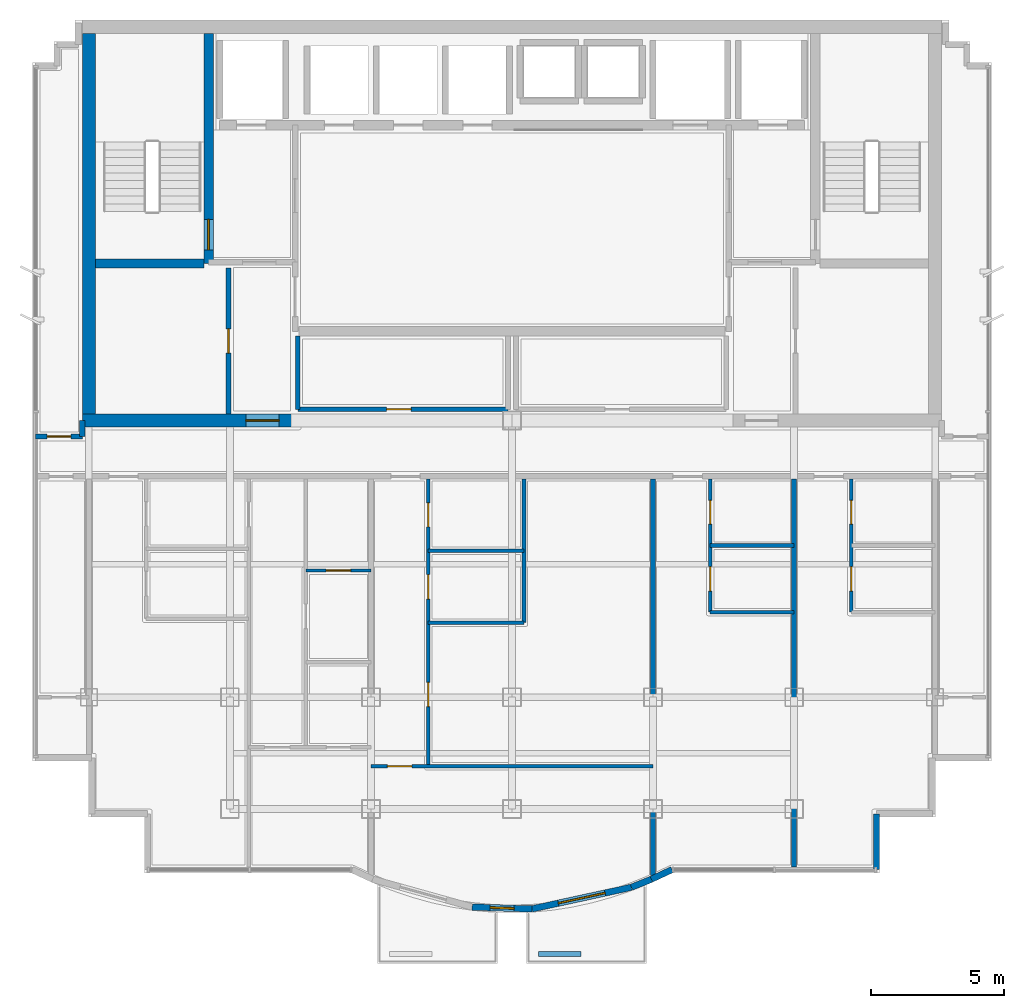
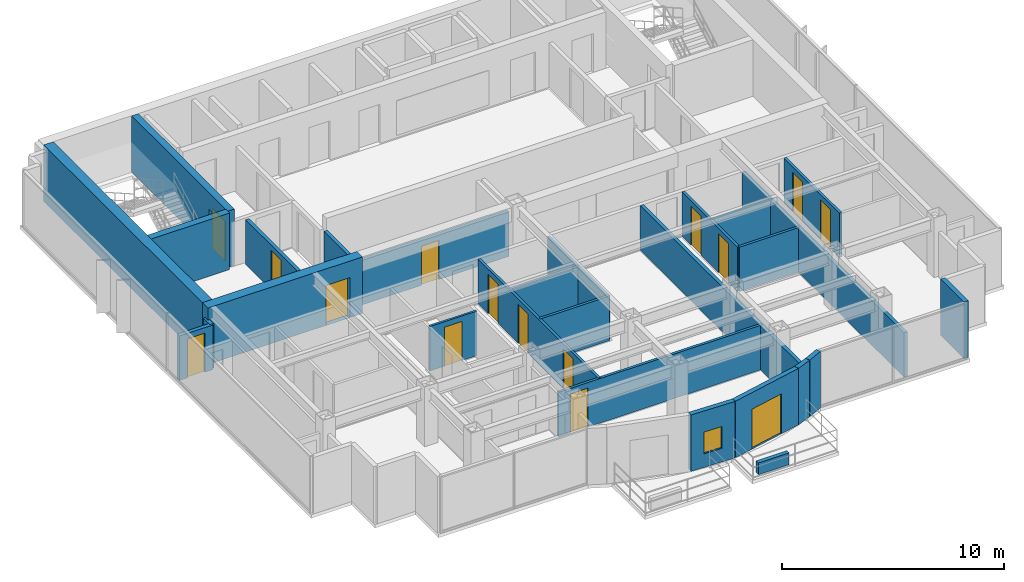
# One storey, part 6 of 10: 27 walls, 15 doors, 1 window, 16 openings.
"""IFC4 building model written with IfcOpenShell, lengths in metres."""

from ifc_helpers import new_model, si_unit, direction, frame, frame_2d, origin, place, context, subcontext, project, spatial, rectangle, extrude, material, layer, layer_set, type_object, element, fill, save


model = new_model("IFC4")

# Units and contexts
model_context = context("Model", 3, precision=1e-05, world=origin(), true_north=direction((0.0, 1.0)))
body_context = subcontext(model_context, "Body", "Model", "MODEL_VIEW")
ifc_project = project(units=[si_unit("LENGTHUNIT", "METRE"), si_unit("AREAUNIT", "SQUARE_METRE"), si_unit("VOLUMEUNIT", "CUBIC_METRE"), si_unit("PLANEANGLEUNIT", "RADIAN"), si_unit("MASSUNIT", "GRAM", prefix="KILO")], contexts=[model_context])

# Site, building, storey
site_placement = place(None, origin())
site = spatial("IfcSite", under=ifc_project, at=site_placement, CompositionType="ELEMENT")
building_placement = place(site_placement, origin())
building = spatial("IfcBuilding", under=site, at=building_placement, Name="Qianlan Lanfeng Residences", CompositionType="ELEMENT")
storey_placement = place(building_placement, frame((0.0, 0.0, 239.60009765625)))
storey = spatial("IfcBuildingStorey", under=building, at=storey_placement, Name="L66", CompositionType="ELEMENT", Elevation=239.60009765625)

# Wall, opening, door
ifc_material_1 = material(Name="Concrete C49", Category="concrete")
ifc_layer_1 = layer(ifc_material_1, 0.35009765625)
ifc_layer_set_1 = layer_set([ifc_layer_1], Name="Concrete C49")
wall_type_1 = type_object("IfcWallType", Name="CW-RC-350", PredefinedType="SHEAR", material=ifc_layer_set_1)
wall_1_placement = place(storey_placement, frame((15.10009765625, 31.10009765625, 0.0), z_axis=(0.0, 0.0, 1.0), x_axis=(0.0, 1.0, 0.0)))
wall_1 = element("IfcWall", 1, at=wall_1_placement, inside=storey, type_object=wall_type_1, Name="L66 Core Shear Wall ST1E", PredefinedType="SHEAR", context=body_context, shape_type="SweptSolid", body=[
    extrude(rectangle(XDim=8.64990234375, YDim=0.35009765625, at=frame_2d((4.324951171875, 0.0))), origin(), (0.0, 0.0, 1.0), 3.10986328125),
])
opening_1_placement = place(wall_1_placement, frame((0.510009765625, 0.0, 0.0)))
opening_1 = element("IfcOpeningElement", 2, at=opening_1_placement, cuts=wall_1, Name="Opening L66-D07", PredefinedType="OPENING", context=body_context, shape_type="SweptSolid", body=[
    extrude(rectangle(XDim=1.14990234375, YDim=2.199951171875, at=frame_2d((0.574951171875, 1.10009765625))), frame((0.0, 0.18505859375, 0.0), z_axis=(0.0, -1.0, 0.0), x_axis=(1.0, 0.0, 0.0)), (0.0, 0.0, 1.0), 0.3701171875),
])
ifc_material_2 = material(Name="Painted Galvanised Steel Fire Door", Category="steel")
door_type_1 = type_object("IfcDoorType", Name="DT-ST1", OperationType="NOTDEFINED", PredefinedType="DOOR", material=ifc_material_2)
door_1_placement = place(opening_1_placement, frame((1.14990234375, 0.0, 0.0), z_axis=(0.0, 0.0, 1.0), x_axis=(-1.0, 0.0, 0.0)))
door_1 = element("IfcDoor", 3, at=door_1_placement, inside=storey, type_object=door_type_1, Name="L66 Exit Stair ST-1 Door L66-D07 (DT-ST1)", OperationType="SINGLE_SWING_RIGHT", OverallHeight=2.199951171875, OverallWidth=1.14990234375, PredefinedType="DOOR", context=body_context, shape_type="SweptSolid", body=[
    extrude(rectangle(XDim=1.14990234375, YDim=2.199951171875, at=frame_2d((0.574951171875, 1.10009765625))), frame((0.0, 0.02490234375, 0.0), z_axis=(0.0, -1.0, 0.0), x_axis=(1.0, 0.0, 0.0)), (0.0, 0.0, 1.0), 0.050048828125),
])
fill(opening_1, door_1)

# Walls
wall_2_placement = place(storey_placement, frame((10.85009765625, 31.10009765625, 0.0), z_axis=(0.0, 0.0, 1.0), x_axis=(1.0, 0.0, 0.0)))
element("IfcWall", 4, at=wall_2_placement, inside=storey, type_object=wall_type_1, Name="L66 Core Shear Wall ST1S", PredefinedType="SHEAR", context=body_context, shape_type="SweptSolid", body=[
    extrude(rectangle(XDim=4.074951171875, YDim=0.35009765625, at=frame_2d((2.03759765625, 0.0))), origin(), (0.0, 0.0, 1.0), 3.10986328125),
])
ifc_material_3 = material(Name="Concrete C70", Category="concrete")
ifc_layer_2 = layer(ifc_material_3, 0.5)
ifc_layer_set_2 = layer_set([ifc_layer_2], Name="Concrete C70")
wall_type_2 = type_object("IfcWallType", Name="CW-RC-500", PredefinedType="SHEAR", material=ifc_layer_set_2)
wall_3_placement = place(storey_placement, frame((10.60009765625, 25.449951171875, 0.0), z_axis=(0.0, 0.0, 1.0), x_axis=(0.0, 1.0, 0.0)))
element("IfcWall", 5, at=wall_3_placement, inside=storey, type_object=wall_type_2, Name="L66 Core Shear Wall W", PredefinedType="SHEAR", context=body_context, shape_type="SweptSolid", body=[
    extrude(rectangle(XDim=14.300048828125, YDim=0.5, at=frame_2d((7.14990234375, 0.0))), origin(), (0.0, 0.0, 1.0), 3.10986328125),
])

# Wall, opening, door
wall_4_placement = place(storey_placement, frame((10.35009765625, 25.199951171875, 0.0), z_axis=(0.0, 0.0, 1.0), x_axis=(1.0, 0.0, 0.0)))
wall_4 = element("IfcWall", 6, at=wall_4_placement, inside=storey, type_object=wall_type_2, Name="L66 Core Shear Wall SW", PredefinedType="SHEAR", context=body_context, shape_type="SweptSolid", body=[
    extrude(rectangle(XDim=8.0498046875, YDim=0.5, at=frame_2d((4.02490234375, 0.0))), origin(), (0.0, 0.0, 1.0), 3.10986328125),
])
opening_2_placement = place(wall_4_placement, frame((6.14990234375, 0.0, 0.0)))
opening_2 = element("IfcOpeningElement", 7, at=opening_2_placement, cuts=wall_4, Name="Opening L66-D01", PredefinedType="OPENING", context=body_context, shape_type="SweptSolid", body=[
    extrude(rectangle(XDim=1.25, YDim=2.199951171875, at=frame_2d((0.625, 1.10009765625))), frame((0.0, 0.260009765625, 0.0), z_axis=(0.0, -1.0, 0.0), x_axis=(1.0, 0.0, 0.0)), (0.0, 0.0, 1.0), 0.52001953125),
])
door_type_2 = type_object("IfcDoorType", Name="DT-FFL", OperationType="NOTDEFINED", PredefinedType="DOOR", material=ifc_material_2)
door_2_placement = place(opening_2_placement, origin())
door_2 = element("IfcDoor", 8, at=door_2_placement, inside=storey, type_object=door_type_2, Name="L66 West Core Lobby Smoke Door L66-D01 (DT-FFL)", OperationType="SINGLE_SWING_RIGHT", OverallHeight=2.199951171875, OverallWidth=1.25, PredefinedType="DOOR", context=body_context, shape_type="SweptSolid", body=[
    extrude(rectangle(XDim=1.25, YDim=2.199951171875, at=frame_2d((0.625, 1.10009765625))), frame((0.0, 0.02490234375, 0.0), z_axis=(0.0, -1.0, 0.0), x_axis=(1.0, 0.0, 0.0)), (0.0, 0.0, 1.0), 0.050048828125),
])
fill(opening_2, door_2)

# Wall, opening, window
ifc_material_4 = material(Name="Concrete C42", Category="concrete")
ifc_layer_3 = layer(ifc_material_4, 0.239990234375)
ifc_layer_set_3 = layer_set([ifc_layer_3], Name="Concrete C42")
wall_type_3 = type_object("IfcWallType", Name="EW-240", PredefinedType="SOLIDWALL", material=ifc_layer_set_3)
wall_5_placement = place(storey_placement, frame((25.0048828125, 6.9130859375, 0.0), z_axis=(0.0, 0.0, 1.0), x_axis=(0.99951250052, -0.031221167572, 0.0)))
wall_5 = element("IfcWall", 9, at=wall_5_placement, inside=storey, type_object=wall_type_3, Name="L66 Exterior Facade Spandrel Wall 7", PredefinedType="SOLIDWALL", context=body_context, shape_type="SweptSolid", body=[
    extrude(rectangle(XDim=2.244140625, YDim=0.239990234375, at=frame_2d((1.1220703125, 0.0))), origin(), (0.0, 0.0, 1.0), 3.10986328125),
])
opening_3_placement = place(wall_5_placement, frame((0.672119140625, 0.0, 0.75)))
opening_3 = element("IfcOpeningElement", 10, at=opening_3_placement, cuts=wall_5, Name="Opening W-04", PredefinedType="OPENING", context=body_context, shape_type="SweptSolid", body=[
    extrude(rectangle(XDim=0.89990234375, YDim=1.199951171875, at=frame_2d((0.449951171875, 0.60009765625))), frame((0.0, 0.1298828125, 0.0), z_axis=(0.0, -1.0, 0.0), x_axis=(1.0, 0.0, 0.0)), (0.0, 0.0, 1.0), 0.260009765625),
])
ifc_material_5 = material(Name="Anodised Bronze Aluminium Framed Double Glazing", Category="aluminium")
window_type = type_object("IfcWindowType", Name="W-04", PartitioningType="SINGLE_PANEL", PredefinedType="WINDOW", material=ifc_material_5)
window_placement = place(opening_3_placement, origin())
window = element("IfcWindow", 11, at=window_placement, inside=storey, type_object=window_type, Name="L66 Facade Punched Window W-04", OverallHeight=1.199951171875, OverallWidth=0.89990234375, PartitioningType="SINGLE_PANEL", PredefinedType="WINDOW", context=body_context, shape_type="SweptSolid", body=[
    extrude(rectangle(XDim=0.89990234375, YDim=1.199951171875, at=frame_2d((0.449951171875, 0.60009765625))), frame((0.0, 0.030029296875, 0.0), z_axis=(0.0, -1.0, 0.0), x_axis=(1.0, 0.0, 0.0)), (0.0, 0.0, 1.0), 0.06005859375),
])
fill(opening_3, window)

# Wall, opening, door
wall_6_placement = place(storey_placement, frame((27.248046875, 6.843017578125, 0.0), z_axis=(0.0, 0.0, 1.0), x_axis=(0.977126252677, 0.212660025225, 0.0)))
wall_6 = element("IfcWall", 12, at=wall_6_placement, inside=storey, type_object=wall_type_3, Name="L66 Terrace/Balcony Access Exterior Wall 8", PredefinedType="SOLIDWALL", context=body_context, shape_type="SweptSolid", body=[
    extrude(rectangle(XDim=3.82763671875, YDim=0.239990234375, at=frame_2d((1.913818359375, 0.0))), origin(), (0.0, 0.0, 1.0), 3.10986328125),
])
opening_4_placement = place(wall_6_placement, frame((1.013916015625, 0.0, 0.0)))
opening_4 = element("IfcOpeningElement", 13, at=opening_4_placement, cuts=wall_6, Name="Opening L66-D-SB-E", PredefinedType="OPENING", context=body_context, shape_type="SweptSolid", body=[
    extrude(rectangle(XDim=1.800048828125, YDim=2.199951171875, at=frame_2d((0.89990234375, 1.10009765625))), frame((0.0, 0.1298828125, 0.0), z_axis=(0.0, -1.0, 0.0), x_axis=(1.0, 0.0, 0.0)), (0.0, 0.0, 1.0), 0.260009765625),
])
ifc_material_6 = material(Name="Anodised Bronze Aluminium Framed Glass", Category="aluminium")
door_type_3 = type_object("IfcDoorType", Name="DT-BAL1", OperationType="NOTDEFINED", PredefinedType="DOOR", material=ifc_material_6)
door_3_placement = place(opening_4_placement, frame((1.800048828125, 0.0, 0.0), z_axis=(0.0, 0.0, 1.0), x_axis=(-1.0, 0.0, 0.0)))
door_3 = element("IfcDoor", 14, at=door_3_placement, inside=storey, type_object=door_type_3, Name="L66 Exterior Access Door SB-E", OperationType="DOUBLE_DOOR_SLIDING", OverallHeight=2.199951171875, OverallWidth=1.800048828125, PredefinedType="DOOR", context=body_context, shape_type="SweptSolid", body=[
    extrude(rectangle(XDim=1.800048828125, YDim=2.199951171875, at=frame_2d((0.89990234375, 1.10009765625))), frame((0.0, 0.02490234375, 0.0), z_axis=(0.0, -1.0, 0.0), x_axis=(1.0, 0.0, 0.0)), (0.0, 0.0, 1.0), 0.050048828125),
])
fill(opening_4, door_3)

# Walls
wall_7_placement = place(storey_placement, frame((30.988037109375, 7.656982421875, 0.0), z_axis=(0.0, 0.0, 1.0), x_axis=(0.927870589467, 0.372902358805, 0.0)))
element("IfcWall", 15, at=wall_7_placement, inside=storey, type_object=wall_type_3, Name="L66 Exterior Facade Spandrel Wall 9", PredefinedType="SOLIDWALL", context=body_context, shape_type="SweptSolid", body=[
    extrude(rectangle(XDim=0.80712890625, YDim=0.239990234375, at=frame_2d((0.403564453125, 0.0))), origin(), (0.0, 0.0, 1.0), 3.10986328125),
])
wall_8_placement = place(storey_placement, frame((31.737060546875, 7.9580078125, 0.0), z_axis=(0.0, 0.0, 1.0), x_axis=(0.906190424584, 0.422869855147, 0.0)))
element("IfcWall", 16, at=wall_8_placement, inside=storey, type_object=wall_type_3, Name="L66 Exterior Facade Spandrel Wall 10", PredefinedType="SOLIDWALL", context=body_context, shape_type="SweptSolid", body=[
    extrude(rectangle(XDim=0.856201171875, YDim=0.239990234375, at=frame_2d((0.42822265625, 0.0))), origin(), (0.0, 0.0, 1.0), 3.10986328125),
])
wall_9_placement = place(storey_placement, frame((40.199951171875, 8.320068359375, 0.0), z_axis=(0.0, 0.0, 1.0), x_axis=(0.0, 1.0, 0.0)))
element("IfcWall", 17, at=wall_9_placement, inside=storey, type_object=wall_type_3, Name="L66 Exterior Facade Spandrel Wall 11", PredefinedType="SOLIDWALL", context=body_context, shape_type="SweptSolid", body=[
    extrude(rectangle(XDim=2.099853515625, YDim=0.239990234375, at=frame_2d((1.0498046875, 0.0))), origin(), (0.0, 0.0, 1.0), 3.10986328125),
])
ifc_layer_4 = layer(ifc_material_4, 0.199951171875)
ifc_layer_set_4 = layer_set([ifc_layer_4], Name="Concrete C42")
wall_type_4 = type_object("IfcWallType", Name="PL-TREE-200", PredefinedType="PARAPET", material=ifc_layer_set_4)
wall_10_placement = place(storey_placement, frame((27.5, 5.14990234375, 0.0), z_axis=(0.0, 0.0, 1.0), x_axis=(1.0, 0.0, 0.0)))
element("IfcWall", 18, at=wall_10_placement, inside=storey, type_object=wall_type_4, Name="L66 Balcony Tree Planter Curb SB-E", PredefinedType="PARAPET", context=body_context, shape_type="SweptSolid", body=[
    extrude(rectangle(XDim=1.60009765625, YDim=0.199951171875, at=frame_2d((0.800048828125, 0.0))), origin(), (0.0, 0.0, 1.0), 0.64990234375),
])

# Wall, opening, door
ifc_material_7 = material(Name="Demountable Acoustic Framing Partition 110 mm")
ifc_layer_5 = layer(ifc_material_7, 0.110107421875)
ifc_layer_set_5 = layer_set([ifc_layer_5], Name="Demountable Acoustic Framing Partition 110 mm")
wall_type_5 = type_object("IfcWallType", Name="PW-110", PredefinedType="MOVABLE", material=ifc_layer_set_5)
wall_11_placement = place(storey_placement, frame((18.75, 19.56005859375, 0.0), z_axis=(0.0, 0.0, 1.0), x_axis=(1.0, 0.0, 0.0)))
wall_11 = element("IfcWall", 19, at=wall_11_placement, inside=storey, type_object=wall_type_5, Name="L66 U01 Wardrobe Split", PredefinedType="MOVABLE", context=body_context, shape_type="SweptSolid", body=[
    extrude(rectangle(XDim=2.449951171875, YDim=0.110107421875, at=frame_2d((1.22509765625, 0.0))), origin(), (0.0, 0.0, 1.0), 2.449951171875),
])
opening_5_placement = place(wall_11_placement, frame((0.764892578125, 0.0, 0.0)))
opening_5 = element("IfcOpeningElement", 20, at=opening_5_placement, cuts=wall_11, Name="Opening L66-D22", PredefinedType="OPENING", context=body_context, shape_type="SweptSolid", body=[
    extrude(rectangle(XDim=0.919921875, YDim=2.14990234375, at=frame_2d((0.4599609375, 1.074951171875))), frame((0.0, 0.06494140625, 0.0), z_axis=(0.0, -1.0, 0.0), x_axis=(1.0, 0.0, 0.0)), (0.0, 0.0, 1.0), 0.130126953125),
])
ifc_material_8 = material(Name="Glazed Timber Kitchen/Study Door", Category="wood")
door_type_4 = type_object("IfcDoorType", Name="DT-INT", OperationType="NOTDEFINED", PredefinedType="DOOR", material=ifc_material_8)
door_4_placement = place(opening_5_placement, origin())
door_4 = element("IfcDoor", 21, at=door_4_placement, inside=storey, type_object=door_type_4, Name="L66 U01 Dressing Inner Door L66-D22 (DT-INT)", OperationType="SINGLE_SWING_RIGHT", OverallHeight=2.14990234375, OverallWidth=0.919921875, PredefinedType="DOOR", context=body_context, shape_type="SweptSolid", body=[
    extrude(rectangle(XDim=0.919921875, YDim=2.14990234375, at=frame_2d((0.4599609375, 1.074951171875))), frame((0.0, 0.02490234375, 0.0), z_axis=(0.0, -1.0, 0.0), x_axis=(1.0, 0.0, 0.0)), (0.0, 0.0, 1.0), 0.050048828125),
])
fill(opening_5, door_4)

ifc_material_9 = material(Name="Moisture-Resistant Gypsum Partition 135 mm")
ifc_layer_6 = layer(ifc_material_9, 0.135009765625)
ifc_layer_set_6 = layer_set([ifc_layer_6], Name="Moisture-Resistant Gypsum Partition 135 mm")
wall_type_6 = type_object("IfcWallType", Name="PW-135", PredefinedType="PARTITIONING", material=ifc_layer_set_6)
wall_12_placement = place(storey_placement, frame((21.199951171875, 12.202880859375, 0.0), z_axis=(0.0, 0.0, 1.0), x_axis=(1.0, 0.0, 0.0)))
wall_12 = element("IfcWall", 22, at=wall_12_placement, inside=storey, type_object=wall_type_6, Name="L66 U02 Living Divider", PredefinedType="PARTITIONING", context=body_context, shape_type="SweptSolid", body=[
    extrude(rectangle(XDim=10.60009765625, YDim=0.135009765625, at=frame_2d((5.300048828125, 0.0))), origin(), (0.0, 0.0, 1.0), 2.449951171875),
])
opening_6_placement = place(wall_12_placement, frame((0.614990234375, 0.0, 0.0)))
opening_6 = element("IfcOpeningElement", 23, at=opening_6_placement, cuts=wall_12, Name="Opening L66-D24", PredefinedType="OPENING", context=body_context, shape_type="SweptSolid", body=[
    extrude(rectangle(XDim=0.919921875, YDim=2.14990234375, at=frame_2d((0.4599609375, 1.074951171875))), frame((0.0, 0.07763671875, 0.0), z_axis=(0.0, -1.0, 0.0), x_axis=(1.0, 0.0, 0.0)), (0.0, 0.0, 1.0), 0.155029296875),
])
door_5_placement = place(opening_6_placement, frame((0.919921875, 0.0, 0.0), z_axis=(0.0, 0.0, 1.0), x_axis=(-1.0, 0.0, 0.0)))
door_5 = element("IfcDoor", 24, at=door_5_placement, inside=storey, type_object=door_type_4, Name="L66 U02 Living Passage Door L66-D24 (DT-INT)", OperationType="SINGLE_SWING_RIGHT", OverallHeight=2.14990234375, OverallWidth=0.919921875, PredefinedType="DOOR", context=body_context, shape_type="SweptSolid", body=[
    extrude(rectangle(XDim=0.919921875, YDim=2.14990234375, at=frame_2d((0.4599609375, 1.074951171875))), frame((0.0, 0.02490234375, 0.0), z_axis=(0.0, -1.0, 0.0), x_axis=(1.0, 0.0, 0.0)), (0.0, 0.0, 1.0), 0.050048828125),
])
fill(opening_6, door_5)

# Wall, openings, doors
wall_13_placement = place(storey_placement, frame((23.35009765625, 12.202880859375, 0.0), z_axis=(0.0, 0.0, 1.0), x_axis=(0.0, 1.0, 0.0)))
wall_13 = element("IfcWall", 25, at=wall_13_placement, inside=storey, type_object=wall_type_6, Name="L66 U02 Entry Hall Spine", PredefinedType="PARTITIONING", context=body_context, shape_type="SweptSolid", body=[
    extrude(rectangle(XDim=10.797119140625, YDim=0.135009765625, at=frame_2d((5.3984375, 0.0))), origin(), (0.0, 0.0, 1.0), 2.449951171875),
])
opening_7_placement = place(wall_13_placement, frame((2.239013671875, 0.0, 0.0)))
opening_7 = element("IfcOpeningElement", 26, at=opening_7_placement, cuts=wall_13, Name="Opening L66-D25", PredefinedType="OPENING", context=body_context, shape_type="SweptSolid", body=[
    extrude(rectangle(XDim=0.919921875, YDim=2.14990234375, at=frame_2d((0.4599609375, 1.074951171875))), frame((0.0, 0.07763671875, 0.0), z_axis=(0.0, -1.0, 0.0), x_axis=(1.0, 0.0, 0.0)), (0.0, 0.0, 1.0), 0.155029296875),
])
opening_8_placement = place(wall_13_placement, frame((6.287109375, 0.0, 0.0)))
opening_8 = element("IfcOpeningElement", 27, at=opening_8_placement, cuts=wall_13, Name="Opening L66-D26", PredefinedType="OPENING", context=body_context, shape_type="SweptSolid", body=[
    extrude(rectangle(XDim=0.919921875, YDim=2.14990234375, at=frame_2d((0.4599609375, 1.074951171875))), frame((0.0, 0.07763671875, 0.0), z_axis=(0.0, -1.0, 0.0), x_axis=(1.0, 0.0, 0.0)), (0.0, 0.0, 1.0), 0.155029296875),
])
opening_9_placement = place(wall_13_placement, frame((8.9970703125, 0.0, 0.0)))
opening_9 = element("IfcOpeningElement", 28, at=opening_9_placement, cuts=wall_13, Name="Opening L66-D27", PredefinedType="OPENING", context=body_context, shape_type="SweptSolid", body=[
    extrude(rectangle(XDim=0.89990234375, YDim=2.14990234375, at=frame_2d((0.449951171875, 1.074951171875))), frame((0.0, 0.07763671875, 0.0), z_axis=(0.0, -1.0, 0.0), x_axis=(1.0, 0.0, 0.0)), (0.0, 0.0, 1.0), 0.155029296875),
])
door_6_placement = place(opening_7_placement, origin())
door_6 = element("IfcDoor", 29, at=door_6_placement, inside=storey, type_object=door_type_4, Name="L66 U02 Study Door L66-D25 (DT-INT)", OperationType="SINGLE_SWING_RIGHT", OverallHeight=2.14990234375, OverallWidth=0.919921875, PredefinedType="DOOR", context=body_context, shape_type="SweptSolid", body=[
    extrude(rectangle(XDim=0.919921875, YDim=2.14990234375, at=frame_2d((0.4599609375, 1.074951171875))), frame((0.0, 0.02490234375, 0.0), z_axis=(0.0, -1.0, 0.0), x_axis=(1.0, 0.0, 0.0)), (0.0, 0.0, 1.0), 0.050048828125),
])
fill(opening_7, door_6)
door_7_placement = place(opening_8_placement, origin())
door_7 = element("IfcDoor", 30, at=door_7_placement, inside=storey, type_object=door_type_4, Name="L66 U02 Kitchen Door L66-D26 (DT-INT)", OperationType="SINGLE_SWING_LEFT", OverallHeight=2.14990234375, OverallWidth=0.919921875, PredefinedType="DOOR", context=body_context, shape_type="SweptSolid", body=[
    extrude(rectangle(XDim=0.919921875, YDim=2.14990234375, at=frame_2d((0.4599609375, 1.074951171875))), frame((0.0, 0.02490234375, 0.0), z_axis=(0.0, -1.0, 0.0), x_axis=(1.0, 0.0, 0.0)), (0.0, 0.0, 1.0), 0.050048828125),
])
fill(opening_8, door_7)
ifc_material_10 = material(Name="Moisture-Resistant Timber Leaf", Category="wood")
door_type_5 = type_object("IfcDoorType", Name="DT-WC", OperationType="NOTDEFINED", PredefinedType="DOOR", material=ifc_material_10)
door_8_placement = place(opening_9_placement, origin())
door_8 = element("IfcDoor", 31, at=door_8_placement, inside=storey, type_object=door_type_5, Name="L66 U02 Bathroom Door L66-D27 (DT-WC)", OperationType="SINGLE_SWING_RIGHT", OverallHeight=2.14990234375, OverallWidth=0.89990234375, PredefinedType="DOOR", context=body_context, shape_type="SweptSolid", body=[
    extrude(rectangle(XDim=0.89990234375, YDim=2.14990234375, at=frame_2d((0.449951171875, 1.074951171875))), frame((0.0, 0.02490234375, 0.0), z_axis=(0.0, -1.0, 0.0), x_axis=(1.0, 0.0, 0.0)), (0.0, 0.0, 1.0), 0.050048828125),
])
fill(opening_9, door_8)

# Walls
wall_14_placement = place(storey_placement, frame((23.35009765625, 17.60009765625, 0.0), z_axis=(0.0, 0.0, 1.0), x_axis=(1.0, 0.0, 0.0)))
element("IfcWall", 32, at=wall_14_placement, inside=storey, type_object=wall_type_6, Name="L66 U02 Kitchen South Wall", PredefinedType="PARTITIONING", context=body_context, shape_type="SweptSolid", body=[
    extrude(rectangle(XDim=3.599853515625, YDim=0.135009765625, at=frame_2d((1.7998046875, 0.0))), origin(), (0.0, 0.0, 1.0), 2.449951171875),
])
wall_15_placement = place(storey_placement, frame((26.949951171875, 17.60009765625, 0.0), z_axis=(0.0, 0.0, 1.0), x_axis=(0.0, 1.0, 0.0)))
element("IfcWall", 33, at=wall_15_placement, inside=storey, type_object=wall_type_6, Name="L66 U02 Dining East Wall", PredefinedType="PARTITIONING", context=body_context, shape_type="SweptSolid", body=[
    extrude(rectangle(XDim=5.39990234375, YDim=0.135009765625, at=frame_2d((2.699951171875, 0.0))), origin(), (0.0, 0.0, 1.0), 2.449951171875),
])
wall_16_placement = place(storey_placement, frame((23.35009765625, 20.300048828125, 0.0), z_axis=(0.0, 0.0, 1.0), x_axis=(1.0, 0.0, 0.0)))
element("IfcWall", 34, at=wall_16_placement, inside=storey, type_object=wall_type_6, Name="L66 U02 Bathroom South Wall", PredefinedType="PARTITIONING", context=body_context, shape_type="SweptSolid", body=[
    extrude(rectangle(XDim=3.599853515625, YDim=0.135009765625, at=frame_2d((1.7998046875, 0.0))), origin(), (0.0, 0.0, 1.0), 2.449951171875),
])

# Wall, openings, doors
wall_17_placement = place(storey_placement, frame((33.949951171875, 18.0, 0.0), z_axis=(0.0, 0.0, 1.0), x_axis=(0.0, 1.0, 0.0)))
wall_17 = element("IfcWall", 35, at=wall_17_placement, inside=storey, type_object=wall_type_6, Name="L66 U03 Wet Stack Spine", PredefinedType="PARTITIONING", context=body_context, shape_type="SweptSolid", body=[
    extrude(rectangle(XDim=5.0, YDim=0.135009765625, at=frame_2d((2.5, 0.0))), origin(), (0.0, 0.0, 1.0), 2.449951171875),
])
opening_10_placement = place(wall_17_placement, frame((0.7900390625, 0.0, 0.0)))
opening_10 = element("IfcOpeningElement", 36, at=opening_10_placement, cuts=wall_17, Name="Opening L66-D29", PredefinedType="OPENING", context=body_context, shape_type="SweptSolid", body=[
    extrude(rectangle(XDim=0.919921875, YDim=2.14990234375, at=frame_2d((0.4599609375, 1.074951171875))), frame((0.0, 0.07763671875, 0.0), z_axis=(0.0, -1.0, 0.0), x_axis=(1.0, 0.0, 0.0)), (0.0, 0.0, 1.0), 0.155029296875),
])
opening_11_placement = place(wall_17_placement, frame((3.300048828125, 0.0, 0.0)))
opening_11 = element("IfcOpeningElement", 37, at=opening_11_placement, cuts=wall_17, Name="Opening L66-D30", PredefinedType="OPENING", context=body_context, shape_type="SweptSolid", body=[
    extrude(rectangle(XDim=0.89990234375, YDim=2.14990234375, at=frame_2d((0.449951171875, 1.074951171875))), frame((0.0, 0.07763671875, 0.0), z_axis=(0.0, -1.0, 0.0), x_axis=(1.0, 0.0, 0.0)), (0.0, 0.0, 1.0), 0.155029296875),
])
door_9_placement = place(opening_10_placement, origin())
door_9 = element("IfcDoor", 38, at=door_9_placement, inside=storey, type_object=door_type_4, Name="L66 U03 Kitchen Door L66-D29 (DT-INT)", OperationType="SINGLE_SWING_RIGHT", OverallHeight=2.14990234375, OverallWidth=0.919921875, PredefinedType="DOOR", context=body_context, shape_type="SweptSolid", body=[
    extrude(rectangle(XDim=0.919921875, YDim=2.14990234375, at=frame_2d((0.4599609375, 1.074951171875))), frame((0.0, 0.02490234375, 0.0), z_axis=(0.0, -1.0, 0.0), x_axis=(1.0, 0.0, 0.0)), (0.0, 0.0, 1.0), 0.050048828125),
])
fill(opening_10, door_9)
door_10_placement = place(opening_11_placement, origin())
door_10 = element("IfcDoor", 39, at=door_10_placement, inside=storey, type_object=door_type_5, Name="L66 U03 Bathroom Door L66-D30 (DT-WC)", OperationType="SINGLE_SWING_LEFT", OverallHeight=2.14990234375, OverallWidth=0.89990234375, PredefinedType="DOOR", context=body_context, shape_type="SweptSolid", body=[
    extrude(rectangle(XDim=0.89990234375, YDim=2.14990234375, at=frame_2d((0.449951171875, 1.074951171875))), frame((0.0, 0.02490234375, 0.0), z_axis=(0.0, -1.0, 0.0), x_axis=(1.0, 0.0, 0.0)), (0.0, 0.0, 1.0), 0.050048828125),
])
fill(opening_11, door_10)

# Walls
for number, where, z_axis, x_axis, name in (
    (40, (33.949951171875, 18.0, 0.0), (0.0, 0.0, 1.0), (1.0, 0.0, 0.0), "L66 U03 Kitchen South Wall"),
    (41, (33.949951171875, 20.5, 0.0), (0.0, 0.0, 1.0), (1.0, 0.0, 0.0), "L66 U03 Bathroom South Wall"),
):
    element("IfcWall", number, at=place(storey_placement, frame(where, z_axis=z_axis, x_axis=x_axis)), inside=storey, type_object=wall_type_6, Name=name, PredefinedType="PARTITIONING", context=body_context, shape_type="SweptSolid", body=[
        extrude(rectangle(XDim=3.150146484375, YDim=0.135009765625, at=frame_2d((1.5751953125, 0.0))), origin(), (0.0, 0.0, 1.0), 2.449951171875),
    ])

# Wall, openings, doors
wall_18_placement = place(storey_placement, frame((39.25, 18.0, 0.0), z_axis=(0.0, 0.0, 1.0), x_axis=(0.0, 1.0, 0.0)))
wall_18 = element("IfcWall", 42, at=wall_18_placement, inside=storey, type_object=wall_type_6, Name="L66 U04 Wet Stack Spine", PredefinedType="PARTITIONING", context=body_context, shape_type="SweptSolid", body=[
    extrude(rectangle(XDim=5.0, YDim=0.135009765625, at=frame_2d((2.5, 0.0))), origin(), (0.0, 0.0, 1.0), 2.449951171875),
])
opening_12_placement = place(wall_18_placement, frame((0.7900390625, 0.0, 0.0)))
opening_12 = element("IfcOpeningElement", 43, at=opening_12_placement, cuts=wall_18, Name="Opening L66-D32", PredefinedType="OPENING", context=body_context, shape_type="SweptSolid", body=[
    extrude(rectangle(XDim=0.919921875, YDim=2.14990234375, at=frame_2d((0.4599609375, 1.074951171875))), frame((0.0, 0.07763671875, 0.0), z_axis=(0.0, -1.0, 0.0), x_axis=(1.0, 0.0, 0.0)), (0.0, 0.0, 1.0), 0.155029296875),
])
opening_13_placement = place(wall_18_placement, frame((3.300048828125, 0.0, 0.0)))
opening_13 = element("IfcOpeningElement", 44, at=opening_13_placement, cuts=wall_18, Name="Opening L66-D33", PredefinedType="OPENING", context=body_context, shape_type="SweptSolid", body=[
    extrude(rectangle(XDim=0.89990234375, YDim=2.14990234375, at=frame_2d((0.449951171875, 1.074951171875))), frame((0.0, 0.07763671875, 0.0), z_axis=(0.0, -1.0, 0.0), x_axis=(1.0, 0.0, 0.0)), (0.0, 0.0, 1.0), 0.155029296875),
])
door_11_placement = place(opening_12_placement, origin())
door_11 = element("IfcDoor", 45, at=door_11_placement, inside=storey, type_object=door_type_4, Name="L66 U04 Kitchen Door L66-D32 (DT-INT)", OperationType="SINGLE_SWING_LEFT", OverallHeight=2.14990234375, OverallWidth=0.919921875, PredefinedType="DOOR", context=body_context, shape_type="SweptSolid", body=[
    extrude(rectangle(XDim=0.919921875, YDim=2.14990234375, at=frame_2d((0.4599609375, 1.074951171875))), frame((0.0, 0.02490234375, 0.0), z_axis=(0.0, -1.0, 0.0), x_axis=(1.0, 0.0, 0.0)), (0.0, 0.0, 1.0), 0.050048828125),
])
fill(opening_12, door_11)
door_12_placement = place(opening_13_placement, origin())
door_12 = element("IfcDoor", 46, at=door_12_placement, inside=storey, type_object=door_type_5, Name="L66 U04 Bathroom Door L66-D33 (DT-WC)", OperationType="SINGLE_SWING_RIGHT", OverallHeight=2.14990234375, OverallWidth=0.89990234375, PredefinedType="DOOR", context=body_context, shape_type="SweptSolid", body=[
    extrude(rectangle(XDim=0.89990234375, YDim=2.14990234375, at=frame_2d((0.449951171875, 1.074951171875))), frame((0.0, 0.02490234375, 0.0), z_axis=(0.0, -1.0, 0.0), x_axis=(1.0, 0.0, 0.0)), (0.0, 0.0, 1.0), 0.050048828125),
])
fill(opening_13, door_12)

# Wall, opening, door
ifc_material_11 = material(Name="Double-Layer Acoustic Gypsum Stud Wall 180 mm")
ifc_layer_7 = layer(ifc_material_11, 0.179931640625)
ifc_layer_set_7 = layer_set([ifc_layer_7], Name="Double-Layer Acoustic Gypsum Stud Wall 180 mm")
wall_type_7 = type_object("IfcWallType", Name="PW-180", PredefinedType="PARTITIONING", material=ifc_layer_set_7)
wall_19_placement = place(storey_placement, frame((15.85009765625, 25.449951171875, 0.0), z_axis=(0.0, 0.0, 1.0), x_axis=(0.0, 1.0, 0.0)))
wall_19 = element("IfcWall", 47, at=wall_19_placement, inside=storey, type_object=wall_type_7, Name="L66 Core West Service Room Wall", PredefinedType="PARTITIONING", context=body_context, shape_type="SweptSolid", body=[
    extrude(rectangle(XDim=5.47509765625, YDim=0.179931640625, at=frame_2d((2.737548828125, 0.0))), origin(), (0.0, 0.0, 1.0), 2.449951171875),
])
opening_14_placement = place(wall_19_placement, frame((2.277099609375, 0.0, 0.0)))
opening_14 = element("IfcOpeningElement", 48, at=opening_14_placement, cuts=wall_19, Name="Opening L66-D09", PredefinedType="OPENING", context=body_context, shape_type="SweptSolid", body=[
    extrude(rectangle(XDim=0.919921875, YDim=2.14990234375, at=frame_2d((0.4599609375, 1.074951171875))), frame((0.0, 0.10009765625, 0.0), z_axis=(0.0, -1.0, 0.0), x_axis=(1.0, 0.0, 0.0)), (0.0, 0.0, 1.0), 0.199951171875),
])
door_13_placement = place(opening_14_placement, origin())
door_13 = element("IfcDoor", 49, at=door_13_placement, inside=storey, type_object=door_type_4, Name="L66 Core Storage Door L66-D09 (DT-INT)", OperationType="SINGLE_SWING_RIGHT", OverallHeight=2.14990234375, OverallWidth=0.919921875, PredefinedType="DOOR", context=body_context, shape_type="SweptSolid", body=[
    extrude(rectangle(XDim=0.919921875, YDim=2.14990234375, at=frame_2d((0.4599609375, 1.074951171875))), frame((0.0, 0.02490234375, 0.0), z_axis=(0.0, -1.0, 0.0), x_axis=(1.0, 0.0, 0.0)), (0.0, 0.0, 1.0), 0.050048828125),
])
fill(opening_14, door_13)

# Wall
wall_20_placement = place(storey_placement, frame((18.449951171875, 25.6201171875, 0.0), z_axis=(0.0, 0.0, 1.0), x_axis=(0.0, 1.0, 0.0)))
element("IfcWall", 50, at=wall_20_placement, inside=storey, type_object=wall_type_7, Name="L66 Reclaimed Low-Bank Room West Wall", PredefinedType="PARTITIONING", context=body_context, shape_type="SweptSolid", body=[
    extrude(rectangle(XDim=2.7548828125, YDim=0.179931640625, at=frame_2d((1.37744140625, 0.0))), origin(), (0.0, 0.0, 1.0), 2.449951171875),
])

# Wall, opening, door
wall_21_placement = place(storey_placement, frame((18.449951171875, 25.6201171875, 0.0), z_axis=(0.0, 0.0, 1.0), x_axis=(1.0, 0.0, 0.0)))
wall_21 = element("IfcWall", 51, at=wall_21_placement, inside=storey, type_object=wall_type_7, Name="L66 Reclaimed Low-Bank Room South Wall", PredefinedType="PARTITIONING", context=body_context, shape_type="SweptSolid", body=[
    extrude(rectangle(XDim=7.900146484375, YDim=0.179931640625, at=frame_2d((3.9501953125, 0.0))), origin(), (0.0, 0.0, 1.0), 2.449951171875),
])
opening_15_placement = place(wall_21_placement, frame((3.340087890625, 0.0, 0.0)))
opening_15 = element("IfcOpeningElement", 52, at=opening_15_placement, cuts=wall_21, Name="Opening L66-D13", PredefinedType="OPENING", context=body_context, shape_type="SweptSolid", body=[
    extrude(rectangle(XDim=0.919921875, YDim=2.14990234375, at=frame_2d((0.4599609375, 1.074951171875))), frame((0.0, 0.10009765625, 0.0), z_axis=(0.0, -1.0, 0.0), x_axis=(1.0, 0.0, 0.0)), (0.0, 0.0, 1.0), 0.199951171875),
])
door_14_placement = place(opening_15_placement, origin())
door_14 = element("IfcDoor", 53, at=door_14_placement, inside=storey, type_object=door_type_4, Name="L66 Reclaimed Core Salon Door L66-D13 (DT-INT)", OperationType="SINGLE_SWING_RIGHT", OverallHeight=2.14990234375, OverallWidth=0.919921875, PredefinedType="DOOR", context=body_context, shape_type="SweptSolid", body=[
    extrude(rectangle(XDim=0.919921875, YDim=2.14990234375, at=frame_2d((0.4599609375, 1.074951171875))), frame((0.0, 0.02490234375, 0.0), z_axis=(0.0, -1.0, 0.0), x_axis=(1.0, 0.0, 0.0)), (0.0, 0.0, 1.0), 0.050048828125),
])
fill(opening_15, door_14)

# Walls
wall_22_placement = place(storey_placement, frame((31.800048828125, 8.097900390625, 0.0), z_axis=(0.0, 0.0, 1.0), x_axis=(0.0, 1.0, 0.0)))
element("IfcWall", 54, at=wall_22_placement, inside=storey, type_object=wall_type_7, Name="L66 Inter-Tenancy Party Wall 3", PredefinedType="PARTITIONING", context=body_context, shape_type="SweptSolid", body=[
    extrude(rectangle(XDim=14.902099609375, YDim=0.179931640625, at=frame_2d((7.451171875, 0.0))), origin(), (0.0, 0.0, 1.0), 2.449951171875),
])
wall_23_placement = place(storey_placement, frame((37.10009765625, 8.419921875, 0.0), z_axis=(0.0, 0.0, 1.0), x_axis=(0.0, 1.0, 0.0)))
element("IfcWall", 55, at=wall_23_placement, inside=storey, type_object=wall_type_7, Name="L66 Inter-Tenancy Party Wall 4", PredefinedType="PARTITIONING", context=body_context, shape_type="SweptSolid", body=[
    extrude(rectangle(XDim=14.580078125, YDim=0.179931640625, at=frame_2d((7.2900390625, 0.0))), origin(), (0.0, 0.0, 1.0), 2.449951171875),
])

# Wall, opening, door
ifc_material_12 = material(Name="Autoclaved Aerated Concrete Blockwork 200 mm", Category="masonry")
ifc_layer_8 = layer(ifc_material_12, 0.199951171875)
ifc_layer_set_8 = layer_set([ifc_layer_8], Name="Autoclaved Aerated Concrete Blockwork 200 mm")
wall_type_8 = type_object("IfcWallType", Name="PW-200", PredefinedType="PARTITIONING", material=ifc_layer_set_8)
wall_24_placement = place(storey_placement, frame((8.60009765625, 24.60009765625, 0.0), z_axis=(0.0, 0.0, 1.0), x_axis=(1.0, 0.0, 0.0)))
wall_24 = element("IfcWall", 56, at=wall_24_placement, inside=storey, type_object=wall_type_8, Name="L66 Corridor NW Wall", PredefinedType="PARTITIONING", context=body_context, shape_type="SweptSolid", body=[
    extrude(rectangle(XDim=1.75, YDim=0.199951171875, at=frame_2d((0.875, 0.0))), origin(), (0.0, 0.0, 1.0), 2.449951171875),
])
opening_16_placement = place(wall_24_placement, frame((0.425048828125, 0.0, 0.0)))
opening_16 = element("IfcOpeningElement", 57, at=opening_16_placement, cuts=wall_24, Name="Opening L66-D38", PredefinedType="OPENING", context=body_context, shape_type="SweptSolid", body=[
    extrude(rectangle(XDim=0.89990234375, YDim=2.14990234375, at=frame_2d((0.449951171875, 1.074951171875))), frame((0.0, 0.10986328125, 0.0), z_axis=(0.0, -1.0, 0.0), x_axis=(1.0, 0.0, 0.0)), (0.0, 0.0, 1.0), 0.219970703125),
])
door_15_placement = place(opening_16_placement, origin())
door_15 = element("IfcDoor", 58, at=door_15_placement, inside=storey, type_object=door_type_5, Name="L66 WW Amenity Salon Door L66-D38 (DT-WC)", OperationType="SINGLE_SWING_LEFT", OverallHeight=2.14990234375, OverallWidth=0.89990234375, PredefinedType="DOOR", context=body_context, shape_type="SweptSolid", body=[
    extrude(rectangle(XDim=0.89990234375, YDim=2.14990234375, at=frame_2d((0.449951171875, 1.074951171875))), frame((0.0, 0.02490234375, 0.0), z_axis=(0.0, -1.0, 0.0), x_axis=(1.0, 0.0, 0.0)), (0.0, 0.0, 1.0), 0.050048828125),
])
fill(opening_16, door_15)

# Wall
wall_25_placement = place(storey_placement, frame((10.35009765625, 24.60009765625, 0.0), z_axis=(0.0, 0.0, 1.0), x_axis=(0.0, 1.0, 0.0)))
element("IfcWall", 59, at=wall_25_placement, inside=storey, type_object=wall_type_8, Name="L66 NW Wing Core Return Wall", PredefinedType="PARTITIONING", context=body_context, shape_type="SweptSolid", body=[
    extrude(rectangle(XDim=0.599853515625, YDim=0.199951171875, at=frame_2d((0.2998046875, 0.0))), origin(), (0.0, 0.0, 1.0), 2.449951171875),
])

save(model, "model.ifc")
